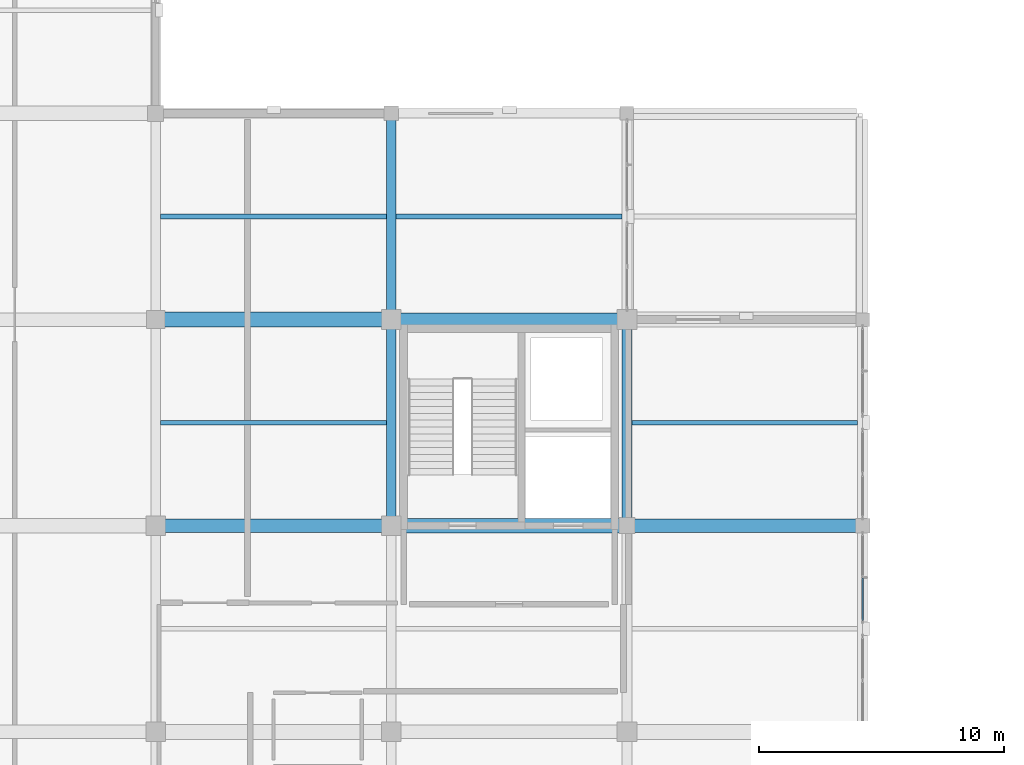
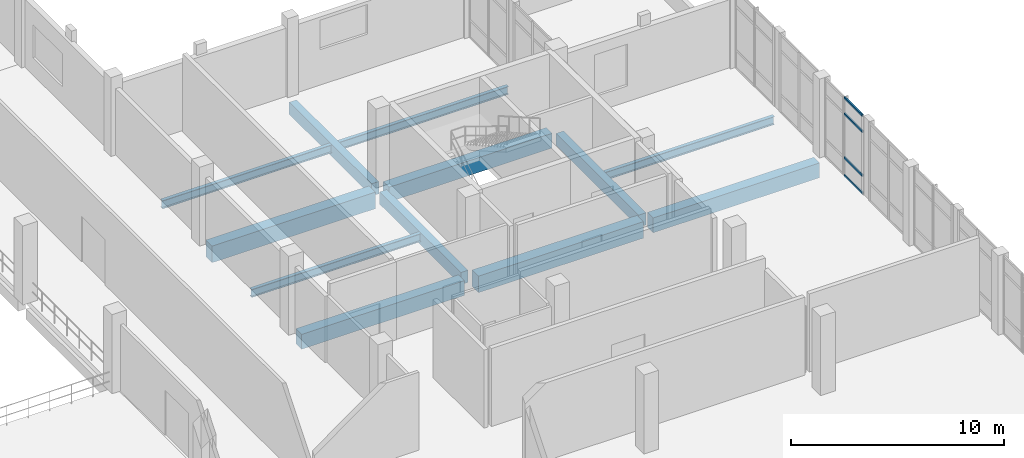
# One storey, part 69 of 102: 12 beams, 4 members, 1 element without a shape of its own.
"""IFC4 building model written with IfcOpenShell, lengths in metres."""

from ifc_helpers import new_model, si_unit, direction, frame, origin, origin_2d, place, context, subcontext, project, spatial, rectangle, hollow_rectangle, i_section, extrude, material, layer, layer_set, material_profile, profile_set, type_object, element, aggregate, save


model = new_model("IFC4")

# Units and contexts
model_context = context("Model", 3, precision=1e-05, world=origin(), true_north=direction((0.0, 1.0)))
body_context = subcontext(model_context, "Body", "Model", "MODEL_VIEW")
ifc_project = project(units=[si_unit("LENGTHUNIT", "METRE"), si_unit("AREAUNIT", "SQUARE_METRE"), si_unit("VOLUMEUNIT", "CUBIC_METRE"), si_unit("PLANEANGLEUNIT", "RADIAN"), si_unit("MASSUNIT", "GRAM", prefix="KILO")], contexts=[model_context])

# Site, building, storey
site_placement = place(None, origin())
site = spatial("IfcSite", under=ifc_project, at=site_placement, CompositionType="ELEMENT")
building_placement = place(site_placement, origin())
building = spatial("IfcBuilding", under=site, at=building_placement, Name="Lornevale Opera House", CompositionType="ELEMENT")
storey_placement = place(building_placement, frame((0.0, 0.0, 5.39990234375)))
storey = spatial("IfcBuildingStorey", under=building, at=storey_placement, Name="L02", CompositionType="ELEMENT", Elevation=5.39990234375)

# Beams
ifc_material_1 = material(Name="Concrete 35 MPa (CSA A23.1 N)", Category="concrete")
ifc_material_profile_1 = material_profile(ifc_material_1, rectangle(XDim=0.39990234375, YDim=0.699951171875, at=origin_2d()), Name="RC400x700")
ifc_profile_set_1 = profile_set([ifc_material_profile_1], Name="Concrete 35 MPa (CSA A23.1 N)")
beam_type_1 = type_object("IfcBeamType", Name="Concrete Floor Beam 400x700", PredefinedType="USERDEFINED", material=ifc_profile_set_1)
beam_1_placement = place(storey_placement, frame((134.39990234375, 67.574951171875, -0.64990234375), z_axis=(0.0, 1.0, 0.0), x_axis=(-1.0, 0.0, 0.0)))
element("IfcBeam", 1, at=beam_1_placement, inside=storey, type_object=beam_type_1, Name="Concrete Floor Beam 400x700 1958", ObjectType="GIRDER", PredefinedType="USERDEFINED", context=body_context, shape_type="SweptSolid", body=[
    extrude(rectangle(XDim=0.39990234375, YDim=0.699951171875, at=origin_2d()), origin(), (0.0, 0.0, 1.0), 7.650146484375),
])
for number, where, z_axis, x_axis, name in (
    (2, (134.39990234375, 75.97509765625, -0.64990234375), (0.0, 1.0, 0.0), (-1.0, 0.0, 0.0), "Concrete Floor Beam 400x700 1959"),
    (3, (144.0, 67.47509765625, -0.64990234375), (0.0, 1.0, 0.0), (-1.0, 0.0, 0.0), "Concrete Floor Beam 400x700 1967"),
):
    element("IfcBeam", number, at=place(storey_placement, frame(where, z_axis=z_axis, x_axis=x_axis)), inside=storey, type_object=beam_type_1, Name=name, ObjectType="GIRDER", PredefinedType="USERDEFINED", context=body_context, shape_type="SweptSolid", body=[
        extrude(rectangle(XDim=0.39990234375, YDim=0.699951171875, at=origin_2d()), origin(), (0.0, 0.0, 1.0), 7.75),
    ])
ifc_material_profile_2 = material_profile(ifc_material_1, rectangle(XDim=0.550048828125, YDim=0.85009765625, at=origin_2d()), Name="RC550x850")
ifc_profile_set_2 = profile_set([ifc_material_profile_2], Name="Concrete 35 MPa (CSA A23.1 N)")
beam_type_2 = type_object("IfcBeamType", Name="Concrete Primary Girder 550x850", PredefinedType="USERDEFINED", material=ifc_profile_set_2)
beam_2_placement = place(storey_placement, frame((125.175048828125, 67.199951171875, -0.724853515625), z_axis=(1.0, 0.0, 0.0), x_axis=(0.0, 1.0, 0.0)))
element("IfcBeam", 4, at=beam_2_placement, inside=storey, type_object=beam_type_2, Name="Concrete Primary Girder 550x850 1767", ObjectType="GIRDER", PredefinedType="USERDEFINED", context=body_context, shape_type="SweptSolid", body=[
    extrude(rectangle(XDim=0.550048828125, YDim=0.85009765625, at=origin_2d()), origin(), (0.0, 0.0, 1.0), 8.849853515625),
])
beam_3_placement = place(storey_placement, frame((144.27490234375, 67.199951171875, -0.724853515625), z_axis=(1.0, 0.0, 0.0), x_axis=(0.0, 1.0, 0.0)))
element("IfcBeam", 5, at=beam_3_placement, inside=storey, type_object=beam_type_2, Name="Concrete Primary Girder 550x850 1769", ObjectType="GIRDER", PredefinedType="USERDEFINED", context=body_context, shape_type="SweptSolid", body=[
    extrude(rectangle(XDim=0.550048828125, YDim=0.85009765625, at=origin_2d()), origin(), (0.0, 0.0, 1.0), 9.050048828125),
])
beam_4_placement = place(storey_placement, frame((134.77490234375, 75.60009765625, -0.724853515625), z_axis=(1.0, 0.0, 0.0), x_axis=(0.0, 1.0, 0.0)))
element("IfcBeam", 6, at=beam_4_placement, inside=storey, type_object=beam_type_2, Name="Concrete Primary Girder 550x850 1777", ObjectType="GIRDER", PredefinedType="USERDEFINED", context=body_context, shape_type="SweptSolid", body=[
    extrude(rectangle(XDim=0.550048828125, YDim=0.85009765625, at=origin_2d()), origin(), (0.0, 0.0, 1.0), 8.85009765625),
])
ifc_material_profile_3 = material_profile(ifc_material_1, rectangle(XDim=0.60009765625, YDim=0.949951171875, at=origin_2d()), Name="RC600x950")
ifc_profile_set_3 = profile_set([ifc_material_profile_3], Name="Concrete 35 MPa (CSA A23.1 N)")
beam_type_3 = type_object("IfcBeamType", Name="Concrete Primary Girder 600x950", PredefinedType="USERDEFINED", material=ifc_profile_set_3)
beam_5_placement = place(storey_placement, frame((134.77490234375, 67.199951171875, -0.77490234375), z_axis=(1.0, 0.0, 0.0), x_axis=(0.0, 1.0, 0.0)))
element("IfcBeam", 7, at=beam_5_placement, inside=storey, type_object=beam_type_3, Name="Concrete Primary Girder 600x950 1768", ObjectType="GIRDER", PredefinedType="USERDEFINED", context=body_context, shape_type="SweptSolid", body=[
    extrude(rectangle(XDim=0.60009765625, YDim=0.949951171875, at=origin_2d()), origin(), (0.0, 0.0, 1.0), 8.9501953125),
])
beam_6_placement = place(storey_placement, frame((125.14990234375, 75.60009765625, -0.77490234375), z_axis=(1.0, 0.0, 0.0), x_axis=(0.0, 1.0, 0.0)))
element("IfcBeam", 8, at=beam_6_placement, inside=storey, type_object=beam_type_3, Name="Concrete Primary Girder 600x950 1776", ObjectType="GIRDER", PredefinedType="USERDEFINED", context=body_context, shape_type="SweptSolid", body=[
    extrude(rectangle(XDim=0.60009765625, YDim=0.949951171875, at=origin_2d()), origin(), (0.0, 0.0, 1.0), 8.875),
])

# Curtain wall, members
ifc_material_2 = material(Name="Anodized Oxide-Green Aluminium Framing", Category="aluminium")
ifc_layer = layer(ifc_material_2, 0.179931640625)
ifc_layer_set = layer_set([ifc_layer], Name="Anodized Oxide-Green Aluminium Framing")
curtain_wall_type = type_object("IfcCurtainWallType", Name="Promenade Gallery Curtain Wall M1800", PredefinedType="NOTDEFINED", material=ifc_layer_set)
curtain_wall_placement = place(storey_placement, origin())
curtain_wall = element("IfcCurtainWall", 9, at=curtain_wall_placement, inside=storey, type_object=curtain_wall_type, Name="Promenade Gallery Curtain Wall M1800 CW-088", PredefinedType="NOTDEFINED")
ifc_material_profile_4 = material_profile(ifc_material_2, hollow_rectangle(XDim=0.06494140625, YDim=0.135009765625, WallThickness=0.00390625, at=origin_2d()), Name="ALU65x135x4")
ifc_profile_set_4 = profile_set([ifc_material_profile_4], Name="Anodized Oxide-Green Aluminium Framing")
member_type = type_object("IfcMemberType", Name="Curtain Wall Transom 65x135", PredefinedType="USERDEFINED", material=ifc_profile_set_4)
member_1_placement = place(storey_placement, frame((153.60009765625, 65.0595703125, 0.03271484375), z_axis=(0.0, -1.0, 0.0), x_axis=(1.0, 0.0, 0.0)))
member_1 = element("IfcMember", 10, at=member_1_placement, type_object=member_type, Name="Curtain Wall Transom 65x135 CW1762", ObjectType="TRANSOM", PredefinedType="USERDEFINED", context=body_context, shape_type="SweptSolid", body=[
    extrude(hollow_rectangle(XDim=0.06494140625, YDim=0.135009765625, WallThickness=0.00390625, at=origin_2d()), origin(), (0.0, 0.0, 1.0), 1.714599609375),
])
member_2_placement = place(storey_placement, frame((153.60009765625, 65.0595703125, 1.050048828125), z_axis=(0.0, -1.0, 0.0), x_axis=(1.0, 0.0, 0.0)))
member_2 = element("IfcMember", 11, at=member_2_placement, type_object=member_type, Name="Curtain Wall Transom 65x135 CW1763", ObjectType="TRANSOM", PredefinedType="USERDEFINED", context=body_context, shape_type="SweptSolid", body=[
    extrude(hollow_rectangle(XDim=0.06494140625, YDim=0.135009765625, WallThickness=0.00390625, at=origin_2d()), origin(), (0.0, 0.0, 1.0), 1.714599609375),
])
member_3_placement = place(storey_placement, frame((153.60009765625, 65.0595703125, 3.570068359375), z_axis=(0.0, -1.0, 0.0), x_axis=(1.0, 0.0, 0.0)))
member_3 = element("IfcMember", 12, at=member_3_placement, type_object=member_type, Name="Curtain Wall Transom 65x135 CW1764", ObjectType="TRANSOM", PredefinedType="USERDEFINED", context=body_context, shape_type="SweptSolid", body=[
    extrude(hollow_rectangle(XDim=0.06494140625, YDim=0.135009765625, WallThickness=0.00390625, at=origin_2d()), origin(), (0.0, 0.0, 1.0), 1.714599609375),
])
member_4_placement = place(storey_placement, frame((153.60009765625, 65.0595703125, 4.487548828125), z_axis=(0.0, -1.0, 0.0), x_axis=(1.0, 0.0, 0.0)))
member_4 = element("IfcMember", 13, at=member_4_placement, type_object=member_type, Name="Curtain Wall Transom 65x135 CW1765", ObjectType="TRANSOM", PredefinedType="USERDEFINED", context=body_context, shape_type="SweptSolid", body=[
    extrude(hollow_rectangle(XDim=0.06494140625, YDim=0.135009765625, WallThickness=0.00390625, at=origin_2d()), origin(), (0.0, 0.0, 1.0), 1.714599609375),
])
aggregate(curtain_wall, [member_1, member_2, member_3, member_4])

# Beams
ifc_material_3 = material(Name="Structural Steel CSA G40.21 Grade 350W (350 MPa)", Category="steel")
ifc_material_profile_5 = material_profile(ifc_material_3, i_section(OverallWidth=0.19189453125, OverallDepth=0.462890625, WebThickness=0.010498046875, FlangeThickness=0.017578125, at=origin_2d()), Name="W460x89")
ifc_profile_set_5 = profile_set([ifc_material_profile_5], Name="Structural Steel CSA G40.21 Grade 350W (350 MPa)")
beam_type_4 = type_object("IfcBeamType", Name="Steel Floor Joist W460x89", PredefinedType="JOIST", material=ifc_profile_set_5)
for number, where, z_axis, x_axis, name in (
    (14, (125.0, 71.39990234375, -0.54638671875), (1.0, 0.0, 0.0), (0.0, 1.0, 0.0), "Steel Floor Joist W460x89 2063"),
    (15, (125.0, 79.800048828125, -0.54638671875), (1.0, 0.0, 0.0), (0.0, 1.0, 0.0), "Steel Floor Joist W460x89 2064"),
    (16, (134.60009765625, 79.800048828125, -0.54638671875), (1.0, 0.0, 0.0), (0.0, 1.0, 0.0), "Steel Floor Joist W460x89 2071"),
    (17, (144.199951171875, 71.39990234375, -0.54638671875), (1.0, 0.0, 0.0), (0.0, 1.0, 0.0), "Steel Floor Joist W460x89 2079"),
):
    element("IfcBeam", number, at=place(storey_placement, frame(where, z_axis=z_axis, x_axis=x_axis)), inside=storey, type_object=beam_type_4, Name=name, PredefinedType="JOIST", context=body_context, shape_type="SweptSolid", body=[
        extrude(i_section(OverallWidth=0.19189453125, OverallDepth=0.462890625, WebThickness=0.010498046875, FlangeThickness=0.017578125, at=origin_2d()), origin(), (0.0, 0.0, 1.0), 9.199951171875),
    ])

save(model, "model.ifc")
